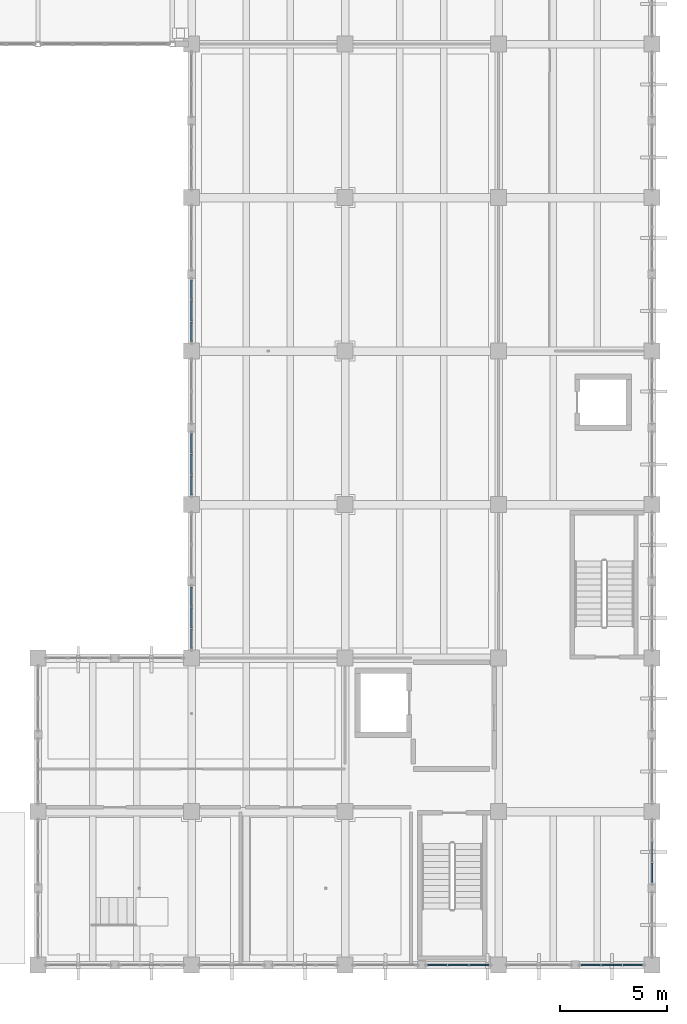
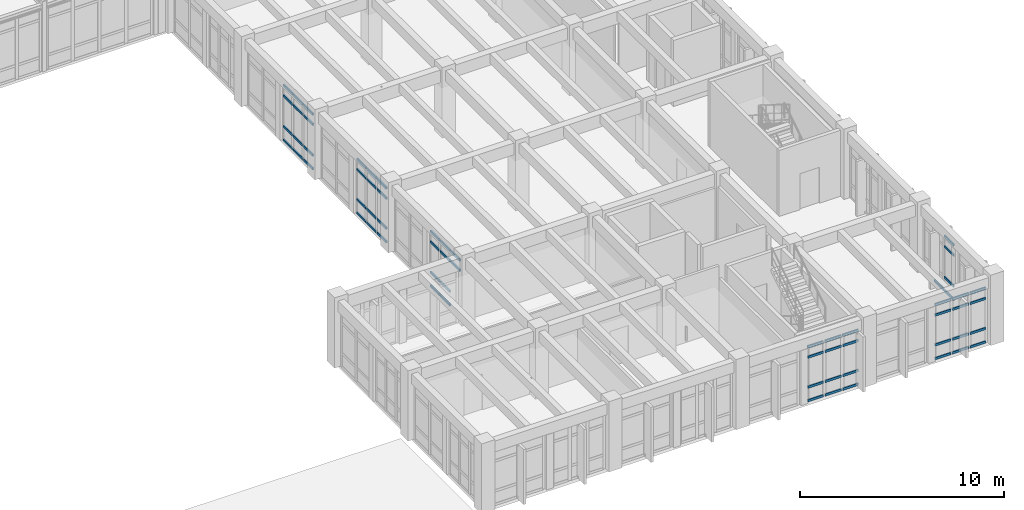
# One storey, part 71 of 136: 63 members, 6 elements without a shape of their own.
"""IFC4 building model written with IfcOpenShell, lengths in metres."""

import ifcopenshell
import ifcopenshell.guid

model = None  # the IFC model being written
_history = None  # IfcOwnerHistory: only IFC2X3 demands one
_inside = {}  # id of a spatial element -> (the spatial element, [elements in it])
_under = {}  # id of a project, library or spatial element -> (it, [spatial elements below it])
_declared = {}  # id of a project -> (the project, [libraries it declares])
_typed = {}  # id of a type object -> (the type object, [elements of that type])
_made_of = {}  # id of a material, layer set ... -> (it, [elements and type objects made of it])


def new_model(schema):
    """Start an empty IFC model of exactly this schema.

    Asked for "IFC4X3", IfcOpenShell would pick the latest addendum, in which some entities
    have other attributes; the version numbers below select the first issue.
    IFC2X3 requires an IfcOwnerHistory on every rooted entity: one is made here for all.
    """
    global model, _history
    if schema == "IFC4X3":
        model = ifcopenshell.file(schema_version=(4, 3, 0, 0))
    else:
        model = ifcopenshell.file(schema=schema)
    _inside.clear()
    _under.clear()
    _declared.clear()
    _typed.clear()
    _made_of.clear()
    _history = None
    if model.schema == "IFC2X3":
        org = make("IfcOrganization", Name="unknown")
        user = make(
            "IfcPersonAndOrganization",
            ThePerson=make("IfcPerson", FamilyName="unknown"),
            TheOrganization=org,
        )
        app = make(
            "IfcApplication",
            ApplicationDeveloper=org,
            Version="unknown",
            ApplicationFullName="unknown",
            ApplicationIdentifier="unknown",
        )
        _history = make(
            "IfcOwnerHistory",
            OwningUser=user,
            OwningApplication=app,
            ChangeAction="ADDED",
            CreationDate=0,
        )
    return model


def make(cls, **values):
    """One entity of the class cls with the attributes given. An attribute that is None is left unset."""
    return model.create_entity(
        cls, **{name: value for name, value in values.items() if value is not None}
    )


def rooted(cls, **values):
    """An entity with a GlobalId (a new one), such as an element, a storey or a relation."""
    return make(cls, GlobalId=ifcopenshell.guid.new(), OwnerHistory=_history, **values)


def si_unit(unit_type, name, prefix=None):
    """IfcSIUnit, for example si_unit("LENGTHUNIT", "METRE", prefix="MILLI")."""
    return make("IfcSIUnit", UnitType=unit_type, Prefix=prefix, Name=name)


def assignment(units):
    """IfcUnitAssignment: the units of a project."""
    return None if units is None else make("IfcUnitAssignment", Units=units)


def point(xyz):
    """IfcCartesianPoint."""
    return None if xyz is None else make("IfcCartesianPoint", Coordinates=xyz)


def direction(xyz):
    """IfcDirection."""
    return None if xyz is None else make("IfcDirection", DirectionRatios=xyz)


def frame(location, z_axis=None, x_axis=None):
    """IfcAxis2Placement3D, a coordinate frame: its origin and axes. An axis left out is left unset."""
    return make(
        "IfcAxis2Placement3D",
        Location=point(location),
        Axis=direction(z_axis),
        RefDirection=direction(x_axis),
    )


def frame_2d(location, x_axis=None):
    """IfcAxis2Placement2D, a coordinate frame in the plane: its origin and x axis."""
    return make(
        "IfcAxis2Placement2D", Location=point(location), RefDirection=direction(x_axis)
    )


def origin():
    """The frame at (0, 0, 0) with its axes left unset."""
    return frame((0.0, 0.0, 0.0))


def origin_2d():
    """The frame at (0, 0) in the plane with its x axis left unset."""
    return frame_2d((0.0, 0.0))


def place(relative_to, where):
    """IfcLocalPlacement: puts the frame where relative to a parent placement (None: the world)."""
    return make(
        "IfcLocalPlacement", PlacementRelTo=relative_to, RelativePlacement=where
    )


def context(
    kind, dimensions, precision=None, world=None, true_north=None, identifier=None
):
    """IfcGeometricRepresentationContext, for example the 3D "Model" context."""
    return make(
        "IfcGeometricRepresentationContext",
        ContextIdentifier=identifier,
        ContextType=kind,
        CoordinateSpaceDimension=dimensions,
        Precision=precision,
        WorldCoordinateSystem=world,
        TrueNorth=true_north,
    )


def subcontext(parent, identifier, kind, view, scale=None):
    """IfcGeometricRepresentationSubContext, for example "Body" below "Model"."""
    return make(
        "IfcGeometricRepresentationSubContext",
        ContextIdentifier=identifier,
        ContextType=kind,
        ParentContext=parent,
        TargetScale=scale,
        TargetView=view,
    )


def project(units=None, contexts=None):
    """IfcProject with its units and contexts."""
    return rooted(
        "IfcProject",
        Name="project",
        RepresentationContexts=contexts,
        UnitsInContext=assignment(units),
    )


def spatial(cls, under=None, at=None, **own):
    """A site, building, storey or space (cls), placed at a placement, below another one or the project."""
    s = rooted(cls, ObjectPlacement=at, **own)
    if under is not None:
        _under.setdefault(under.id(), (under, []))[1].append(s)
    return s


def profile(cls, at=None, kind="AREA", **sizes):
    """A parametric profile (cls). Its sizes go by their IFC names, for example OverallWidth=200.0."""
    return make(cls, ProfileType=kind, Position=at, **sizes)


def rectangle(**sizes):
    """IfcRectangleProfileDef."""
    return profile("IfcRectangleProfileDef", **sizes)


def extrude(swept, where, along, depth):
    """IfcExtrudedAreaSolid: the profile swept, set in the frame where, extruded along a direction by depth."""
    return make(
        "IfcExtrudedAreaSolid",
        SweptArea=swept,
        Position=where,
        ExtrudedDirection=direction(along),
        Depth=depth,
    )


def shape(context_of_items, identifier, shape_type, items):
    """IfcShapeRepresentation: the items that make up one representation, for example the "Body"."""
    return make(
        "IfcShapeRepresentation",
        ContextOfItems=context_of_items,
        RepresentationIdentifier=identifier,
        RepresentationType=shape_type,
        Items=items,
    )


def material(Name=None, Category=None):
    """IfcMaterial."""
    return make("IfcMaterial", Name=Name, Category=Category)


def layer(
    of_material, thickness, ventilated=None, Name=None, Category=None, Priority=None
):
    """IfcMaterialLayer: one layer of a wall or slab, of a material (None: an air gap)."""
    return make(
        "IfcMaterialLayer",
        Material=of_material,
        LayerThickness=thickness,
        IsVentilated=ventilated,
        Name=Name,
        Category=Category,
        Priority=Priority,
    )


def layer_set(layers, Name=None):
    """IfcMaterialLayerSet."""
    return make("IfcMaterialLayerSet", MaterialLayers=layers, LayerSetName=Name)


def material_profile(
    of_material, cross_section, Name=None, Category=None, Priority=None
):
    """IfcMaterialProfile: a cross section and its material."""
    return make(
        "IfcMaterialProfile",
        Name=Name,
        Material=of_material,
        Profile=cross_section,
        Priority=Priority,
        Category=Category,
    )


def profile_set(profiles, Name=None, composite=None):
    """IfcMaterialProfileSet."""
    return make(
        "IfcMaterialProfileSet",
        Name=Name,
        MaterialProfiles=profiles,
        CompositeProfile=composite,
    )


def made_of(thing, what):
    """Note that an element or type object is made of a material, layer set ...; save() writes the relation."""
    if what is not None:
        _made_of.setdefault(what.id(), (what, []))[1].append(thing)
    return thing


def type_object(cls, material=None, **own):
    """A type object (cls), such as IfcWallType, which elements share."""
    return made_of(rooted(cls, **own), material)


def element(
    cls,
    number,
    at=None,
    inside=None,
    cuts=None,
    type_object=None,
    material=None,
    context=None,
    identifier="Body",
    shape_type=None,
    held_by="IfcProductDefinitionShape",
    body=None,
    shapes=None,
    **own,
):
    """One element of the class cls, such as IfcWall. Its Tag is "e" and its number.

    at: its placement. inside: the storey or other place that contains it. cuts: it is an
    opening in that element (IfcRelVoidsElement). A single representation is given by context,
    identifier, shape_type and body (its items); several are given by shapes. held_by: the class
    of the entity that holds the representations. save() writes the other relations.
    """
    e = rooted(cls, Tag="e%d" % number, ObjectPlacement=at, **own)
    if body is not None:
        shapes = [shape(context, identifier, shape_type, body)]
    if shapes is not None:
        e.Representation = make(held_by, Representations=shapes)
    if inside is not None:
        _inside.setdefault(inside.id(), (inside, []))[1].append(e)
    if cuts is not None:
        rooted(
            "IfcRelVoidsElement", RelatingBuildingElement=cuts, RelatedOpeningElement=e
        )
    if type_object is not None:
        _typed.setdefault(type_object.id(), (type_object, []))[1].append(e)
    return made_of(e, material)


def aggregate(whole, parts):
    """IfcRelAggregates: a whole, such as a stair, and the parts it consists of."""
    return rooted("IfcRelAggregates", RelatingObject=whole, RelatedObjects=parts)


def save(model, path):
    """Write the relations noted so far, then the file.

    IfcRelAggregates (storeys below a building ...), IfcRelContainedInSpatialStructure (elements
    in a storey), IfcRelDefinesByType, IfcRelAssociatesMaterial and IfcRelDeclares: one each for
    every whole, place, type object, material and project.
    """
    for whole, parts in _under.values():
        aggregate(whole, parts)
    for where, things in _inside.values():
        rooted(
            "IfcRelContainedInSpatialStructure",
            RelatedElements=things,
            RelatingStructure=where,
        )
    for kind, things in _typed.values():
        rooted("IfcRelDefinesByType", RelatedObjects=things, RelatingType=kind)
    for what, things in _made_of.values():
        rooted("IfcRelAssociatesMaterial", RelatedObjects=things, RelatingMaterial=what)
    for by, libraries in _declared.values():
        rooted("IfcRelDeclares", RelatingContext=by, RelatedDefinitions=libraries)
    model.write(path)


model = new_model("IFC4")

# Units and contexts
model_context = context("Model", 3, precision=1e-05, world=origin(), true_north=direction((0.0, 1.0)))
body_context = subcontext(model_context, "Body", "Model", "MODEL_VIEW")
ifc_project = project(units=[si_unit("LENGTHUNIT", "METRE"), si_unit("AREAUNIT", "SQUARE_METRE"), si_unit("VOLUMEUNIT", "CUBIC_METRE"), si_unit("PLANEANGLEUNIT", "RADIAN"), si_unit("MASSUNIT", "GRAM", prefix="KILO")], contexts=[model_context])

# Site, building, storey
site_placement = place(None, origin())
site = spatial("IfcSite", under=ifc_project, at=site_placement, CompositionType="ELEMENT")
building_placement = place(site_placement, origin())
building = spatial("IfcBuilding", under=site, at=building_placement, Name="Koriwan Promenade Central Fire Station", CompositionType="ELEMENT")
storey_placement = place(building_placement, frame((0.0, 0.0, 5.39990234375)))
storey = spatial("IfcBuildingStorey", under=building, at=storey_placement, Name="L01", CompositionType="ELEMENT", Elevation=5.39990234375)

# Curtain wall, members
ifc_material_1 = material(Name="Aluminium EN AW-6063-T6 and low-E glazing", Category="aluminium")
ifc_layer_1 = layer(ifc_material_1, 0.159912109375, Name="Aluminium EN AW-6063-T6 and low-E glazing")
ifc_layer_set_1 = layer_set([ifc_layer_1], Name="Aluminium EN AW-6063-T6 and low-E glazing")
curtain_wall_type_1 = type_object("IfcCurtainWallType", Name="CurtainWall_61_303x329", PredefinedType="USERDEFINED", material=ifc_layer_set_1)
curtain_wall_1_placement = place(storey_placement, origin())
curtain_wall_1 = element("IfcCurtainWall", 1, at=curtain_wall_1_placement, inside=storey, type_object=curtain_wall_type_1, Name="V5 L01 unitised curtain wall 161", ObjectType="UNITISED CURTAIN WALL", PredefinedType="USERDEFINED")
ifc_material_2 = material(Name="Aluminium EN AW-6063-T6", Category="aluminium")
ifc_material_profile = material_profile(ifc_material_2, rectangle(XDim=0.074951171875, YDim=0.139892578125, at=origin_2d()), Name="ALU-TRN-75x140")
ifc_profile_set = profile_set([ifc_material_profile], Name="Aluminium EN AW-6063-T6")
member_type = type_object("IfcMemberType", Name="CWTransom_ALU-TRN-75x140", PredefinedType="USERDEFINED", material=ifc_profile_set)
member_1_placement = place(storey_placement, frame((172.35009765625, 0.0, 0.03759765625), z_axis=(-1.0, 0.0, 0.0), x_axis=(0.0, -1.0, 0.0)))
member_1 = element("IfcMember", 2, at=member_1_placement, type_object=member_type, Name="CW-61 transom 1.1", ObjectType="TRANSOM", PredefinedType="USERDEFINED", context=body_context, shape_type="SweptSolid", body=[
    extrude(rectangle(XDim=0.074951171875, YDim=0.139892578125, at=origin_2d()), origin(), (0.0, 0.0, 1.0), 0.89599609375),
])
member_2_placement = place(storey_placement, frame((172.35009765625, 0.0, 0.85009765625), z_axis=(-1.0, 0.0, 0.0), x_axis=(0.0, -1.0, 0.0)))
member_2 = element("IfcMember", 3, at=member_2_placement, type_object=member_type, Name="CW-61 transom 1.2", ObjectType="TRANSOM", PredefinedType="USERDEFINED", context=body_context, shape_type="SweptSolid", body=[
    extrude(rectangle(XDim=0.074951171875, YDim=0.139892578125, at=origin_2d()), origin(), (0.0, 0.0, 1.0), 0.89599609375),
])
member_3_placement = place(storey_placement, frame((172.35009765625, 0.0, 2.64013671875), z_axis=(-1.0, 0.0, 0.0), x_axis=(0.0, -1.0, 0.0)))
member_3 = element("IfcMember", 4, at=member_3_placement, type_object=member_type, Name="CW-61 transom 1.3", ObjectType="TRANSOM", PredefinedType="USERDEFINED", context=body_context, shape_type="SweptSolid", body=[
    extrude(rectangle(XDim=0.074951171875, YDim=0.139892578125, at=origin_2d()), origin(), (0.0, 0.0, 1.0), 0.89599609375),
])
member_4_placement = place(storey_placement, frame((172.35009765625, 0.0, 3.252685546875), z_axis=(-1.0, 0.0, 0.0), x_axis=(0.0, -1.0, 0.0)))
member_4 = element("IfcMember", 5, at=member_4_placement, type_object=member_type, Name="CW-61 transom 1.4", ObjectType="TRANSOM", PredefinedType="USERDEFINED", context=body_context, shape_type="SweptSolid", body=[
    extrude(rectangle(XDim=0.074951171875, YDim=0.139892578125, at=origin_2d()), origin(), (0.0, 0.0, 1.0), 0.89599609375),
])
member_5_placement = place(storey_placement, frame((171.379150390625, 0.0, 0.03759765625), z_axis=(-1.0, 0.0, 0.0), x_axis=(0.0, -1.0, 0.0)))
member_5 = element("IfcMember", 6, at=member_5_placement, type_object=member_type, Name="CW-61 transom 2.1", ObjectType="TRANSOM", PredefinedType="USERDEFINED", context=body_context, shape_type="SweptSolid", body=[
    extrude(rectangle(XDim=0.074951171875, YDim=0.139892578125, at=origin_2d()), origin(), (0.0, 0.0, 1.0), 0.933349609375),
])
member_6_placement = place(storey_placement, frame((171.379150390625, 0.0, 0.85009765625), z_axis=(-1.0, 0.0, 0.0), x_axis=(0.0, -1.0, 0.0)))
member_6 = element("IfcMember", 7, at=member_6_placement, type_object=member_type, Name="CW-61 transom 2.2", ObjectType="TRANSOM", PredefinedType="USERDEFINED", context=body_context, shape_type="SweptSolid", body=[
    extrude(rectangle(XDim=0.074951171875, YDim=0.139892578125, at=origin_2d()), origin(), (0.0, 0.0, 1.0), 0.933349609375),
])
member_7_placement = place(storey_placement, frame((171.379150390625, 0.0, 2.64013671875), z_axis=(-1.0, 0.0, 0.0), x_axis=(0.0, -1.0, 0.0)))
member_7 = element("IfcMember", 8, at=member_7_placement, type_object=member_type, Name="CW-61 transom 2.3", ObjectType="TRANSOM", PredefinedType="USERDEFINED", context=body_context, shape_type="SweptSolid", body=[
    extrude(rectangle(XDim=0.074951171875, YDim=0.139892578125, at=origin_2d()), origin(), (0.0, 0.0, 1.0), 0.933349609375),
])
member_8_placement = place(storey_placement, frame((171.379150390625, 0.0, 3.252685546875), z_axis=(-1.0, 0.0, 0.0), x_axis=(0.0, -1.0, 0.0)))
member_8 = element("IfcMember", 9, at=member_8_placement, type_object=member_type, Name="CW-61 transom 2.4", ObjectType="TRANSOM", PredefinedType="USERDEFINED", context=body_context, shape_type="SweptSolid", body=[
    extrude(rectangle(XDim=0.074951171875, YDim=0.139892578125, at=origin_2d()), origin(), (0.0, 0.0, 1.0), 0.933349609375),
])
member_9_placement = place(storey_placement, frame((170.370849609375, 0.0, 0.03759765625), z_axis=(-1.0, 0.0, 0.0), x_axis=(0.0, -1.0, 0.0)))
member_9 = element("IfcMember", 10, at=member_9_placement, type_object=member_type, Name="CW-61 transom 3.1", ObjectType="TRANSOM", PredefinedType="USERDEFINED", context=body_context, shape_type="SweptSolid", body=[
    extrude(rectangle(XDim=0.074951171875, YDim=0.139892578125, at=origin_2d()), origin(), (0.0, 0.0, 1.0), 0.895751953125),
])
member_10_placement = place(storey_placement, frame((170.370849609375, 0.0, 0.85009765625), z_axis=(-1.0, 0.0, 0.0), x_axis=(0.0, -1.0, 0.0)))
member_10 = element("IfcMember", 11, at=member_10_placement, type_object=member_type, Name="CW-61 transom 3.2", ObjectType="TRANSOM", PredefinedType="USERDEFINED", context=body_context, shape_type="SweptSolid", body=[
    extrude(rectangle(XDim=0.074951171875, YDim=0.139892578125, at=origin_2d()), origin(), (0.0, 0.0, 1.0), 0.895751953125),
])
member_11_placement = place(storey_placement, frame((170.370849609375, 0.0, 2.64013671875), z_axis=(-1.0, 0.0, 0.0), x_axis=(0.0, -1.0, 0.0)))
member_11 = element("IfcMember", 12, at=member_11_placement, type_object=member_type, Name="CW-61 transom 3.3", ObjectType="TRANSOM", PredefinedType="USERDEFINED", context=body_context, shape_type="SweptSolid", body=[
    extrude(rectangle(XDim=0.074951171875, YDim=0.139892578125, at=origin_2d()), origin(), (0.0, 0.0, 1.0), 0.895751953125),
])
member_12_placement = place(storey_placement, frame((170.370849609375, 0.0, 3.252685546875), z_axis=(-1.0, 0.0, 0.0), x_axis=(0.0, -1.0, 0.0)))
member_12 = element("IfcMember", 13, at=member_12_placement, type_object=member_type, Name="CW-61 transom 3.4", ObjectType="TRANSOM", PredefinedType="USERDEFINED", context=body_context, shape_type="SweptSolid", body=[
    extrude(rectangle(XDim=0.074951171875, YDim=0.139892578125, at=origin_2d()), origin(), (0.0, 0.0, 1.0), 0.895751953125),
])
aggregate(curtain_wall_1, [member_1, member_2, member_3, member_4, member_5, member_6, member_7, member_8, member_9, member_10, member_11, member_12])

curtain_wall_2_placement = place(storey_placement, origin())
curtain_wall_2 = element("IfcCurtainWall", 14, at=curtain_wall_2_placement, inside=storey, type_object=curtain_wall_type_1, Name="V5 L01 unitised curtain wall 163", ObjectType="UNITISED CURTAIN WALL", PredefinedType="USERDEFINED")
member_13_placement = place(storey_placement, frame((165.14990234375, 0.0, 0.03759765625), z_axis=(-1.0, 0.0, 0.0), x_axis=(0.0, -1.0, 0.0)))
member_13 = element("IfcMember", 15, at=member_13_placement, type_object=member_type, Name="CW-61 transom 1.1", ObjectType="TRANSOM", PredefinedType="USERDEFINED", context=body_context, shape_type="SweptSolid", body=[
    extrude(rectangle(XDim=0.074951171875, YDim=0.139892578125, at=origin_2d()), origin(), (0.0, 0.0, 1.0), 0.895751953125),
])
member_14_placement = place(storey_placement, frame((165.14990234375, 0.0, 0.85009765625), z_axis=(-1.0, 0.0, 0.0), x_axis=(0.0, -1.0, 0.0)))
member_14 = element("IfcMember", 16, at=member_14_placement, type_object=member_type, Name="CW-61 transom 1.2", ObjectType="TRANSOM", PredefinedType="USERDEFINED", context=body_context, shape_type="SweptSolid", body=[
    extrude(rectangle(XDim=0.074951171875, YDim=0.139892578125, at=origin_2d()), origin(), (0.0, 0.0, 1.0), 0.895751953125),
])
member_15_placement = place(storey_placement, frame((165.14990234375, 0.0, 2.64013671875), z_axis=(-1.0, 0.0, 0.0), x_axis=(0.0, -1.0, 0.0)))
member_15 = element("IfcMember", 17, at=member_15_placement, type_object=member_type, Name="CW-61 transom 1.3", ObjectType="TRANSOM", PredefinedType="USERDEFINED", context=body_context, shape_type="SweptSolid", body=[
    extrude(rectangle(XDim=0.074951171875, YDim=0.139892578125, at=origin_2d()), origin(), (0.0, 0.0, 1.0), 0.895751953125),
])
member_16_placement = place(storey_placement, frame((165.14990234375, 0.0, 3.252685546875), z_axis=(-1.0, 0.0, 0.0), x_axis=(0.0, -1.0, 0.0)))
member_16 = element("IfcMember", 18, at=member_16_placement, type_object=member_type, Name="CW-61 transom 1.4", ObjectType="TRANSOM", PredefinedType="USERDEFINED", context=body_context, shape_type="SweptSolid", body=[
    extrude(rectangle(XDim=0.074951171875, YDim=0.139892578125, at=origin_2d()), origin(), (0.0, 0.0, 1.0), 0.895751953125),
])
member_17_placement = place(storey_placement, frame((164.17919921875, 0.0, 0.03759765625), z_axis=(-1.0, 0.0, 0.0), x_axis=(0.0, -1.0, 0.0)))
member_17 = element("IfcMember", 19, at=member_17_placement, type_object=member_type, Name="CW-61 transom 2.1", ObjectType="TRANSOM", PredefinedType="USERDEFINED", context=body_context, shape_type="SweptSolid", body=[
    extrude(rectangle(XDim=0.074951171875, YDim=0.139892578125, at=origin_2d()), origin(), (0.0, 0.0, 1.0), 0.933349609375),
])
member_18_placement = place(storey_placement, frame((164.17919921875, 0.0, 0.85009765625), z_axis=(-1.0, 0.0, 0.0), x_axis=(0.0, -1.0, 0.0)))
member_18 = element("IfcMember", 20, at=member_18_placement, type_object=member_type, Name="CW-61 transom 2.2", ObjectType="TRANSOM", PredefinedType="USERDEFINED", context=body_context, shape_type="SweptSolid", body=[
    extrude(rectangle(XDim=0.074951171875, YDim=0.139892578125, at=origin_2d()), origin(), (0.0, 0.0, 1.0), 0.933349609375),
])
member_19_placement = place(storey_placement, frame((164.17919921875, 0.0, 2.64013671875), z_axis=(-1.0, 0.0, 0.0), x_axis=(0.0, -1.0, 0.0)))
member_19 = element("IfcMember", 21, at=member_19_placement, type_object=member_type, Name="CW-61 transom 2.3", ObjectType="TRANSOM", PredefinedType="USERDEFINED", context=body_context, shape_type="SweptSolid", body=[
    extrude(rectangle(XDim=0.074951171875, YDim=0.139892578125, at=origin_2d()), origin(), (0.0, 0.0, 1.0), 0.933349609375),
])
member_20_placement = place(storey_placement, frame((164.17919921875, 0.0, 3.252685546875), z_axis=(-1.0, 0.0, 0.0), x_axis=(0.0, -1.0, 0.0)))
member_20 = element("IfcMember", 22, at=member_20_placement, type_object=member_type, Name="CW-61 transom 2.4", ObjectType="TRANSOM", PredefinedType="USERDEFINED", context=body_context, shape_type="SweptSolid", body=[
    extrude(rectangle(XDim=0.074951171875, YDim=0.139892578125, at=origin_2d()), origin(), (0.0, 0.0, 1.0), 0.933349609375),
])
member_21_placement = place(storey_placement, frame((163.1708984375, 0.0, 0.03759765625), z_axis=(-1.0, 0.0, 0.0), x_axis=(0.0, -1.0, 0.0)))
member_21 = element("IfcMember", 23, at=member_21_placement, type_object=member_type, Name="CW-61 transom 3.1", ObjectType="TRANSOM", PredefinedType="USERDEFINED", context=body_context, shape_type="SweptSolid", body=[
    extrude(rectangle(XDim=0.074951171875, YDim=0.139892578125, at=origin_2d()), origin(), (0.0, 0.0, 1.0), 0.89599609375),
])
member_22_placement = place(storey_placement, frame((163.1708984375, 0.0, 0.85009765625), z_axis=(-1.0, 0.0, 0.0), x_axis=(0.0, -1.0, 0.0)))
member_22 = element("IfcMember", 24, at=member_22_placement, type_object=member_type, Name="CW-61 transom 3.2", ObjectType="TRANSOM", PredefinedType="USERDEFINED", context=body_context, shape_type="SweptSolid", body=[
    extrude(rectangle(XDim=0.074951171875, YDim=0.139892578125, at=origin_2d()), origin(), (0.0, 0.0, 1.0), 0.89599609375),
])
member_23_placement = place(storey_placement, frame((163.1708984375, 0.0, 2.64013671875), z_axis=(-1.0, 0.0, 0.0), x_axis=(0.0, -1.0, 0.0)))
member_23 = element("IfcMember", 25, at=member_23_placement, type_object=member_type, Name="CW-61 transom 3.3", ObjectType="TRANSOM", PredefinedType="USERDEFINED", context=body_context, shape_type="SweptSolid", body=[
    extrude(rectangle(XDim=0.074951171875, YDim=0.139892578125, at=origin_2d()), origin(), (0.0, 0.0, 1.0), 0.89599609375),
])
member_24_placement = place(storey_placement, frame((163.1708984375, 0.0, 3.252685546875), z_axis=(-1.0, 0.0, 0.0), x_axis=(0.0, -1.0, 0.0)))
member_24 = element("IfcMember", 26, at=member_24_placement, type_object=member_type, Name="CW-61 transom 3.4", ObjectType="TRANSOM", PredefinedType="USERDEFINED", context=body_context, shape_type="SweptSolid", body=[
    extrude(rectangle(XDim=0.074951171875, YDim=0.139892578125, at=origin_2d()), origin(), (0.0, 0.0, 1.0), 0.89599609375),
])
aggregate(curtain_wall_2, [member_13, member_14, member_15, member_16, member_17, member_18, member_19, member_20, member_21, member_22, member_23, member_24])

ifc_layer_2 = layer(ifc_material_1, 0.159912109375, Name="Aluminium EN AW-6063-T6 and low-E glazing")
ifc_layer_set_2 = layer_set([ifc_layer_2], Name="Aluminium EN AW-6063-T6 and low-E glazing")
curtain_wall_type_2 = type_object("IfcCurtainWallType", Name="CurtainWall_67_303x334", PredefinedType="USERDEFINED", material=ifc_layer_set_2)
curtain_wall_3_placement = place(storey_placement, origin())
curtain_wall_3 = element("IfcCurtainWall", 27, at=curtain_wall_3_placement, inside=storey, type_object=curtain_wall_type_2, Name="V5 L01 unitised curtain wall 175", ObjectType="UNITISED CURTAIN WALL", PredefinedType="USERDEFINED")
member_25_placement = place(storey_placement, frame((151.199951171875, 14.85009765625, 2.690185546875), z_axis=(0.0, 1.0, 0.0), x_axis=(-1.0, 0.0, 0.0)))
member_25 = element("IfcMember", 28, at=member_25_placement, type_object=member_type, Name="CW-67 transom 1.3", ObjectType="TRANSOM", PredefinedType="USERDEFINED", context=body_context, shape_type="SweptSolid", body=[
    extrude(rectangle(XDim=0.074951171875, YDim=0.139892578125, at=origin_2d()), origin(), (0.0, 0.0, 1.0), 0.895751953125),
])
member_26_placement = place(storey_placement, frame((151.199951171875, 14.85009765625, 3.302490234375), z_axis=(0.0, 1.0, 0.0), x_axis=(-1.0, 0.0, 0.0)))
member_26 = element("IfcMember", 29, at=member_26_placement, type_object=member_type, Name="CW-67 transom 1.4", ObjectType="TRANSOM", PredefinedType="USERDEFINED", context=body_context, shape_type="SweptSolid", body=[
    extrude(rectangle(XDim=0.074951171875, YDim=0.139892578125, at=origin_2d()), origin(), (0.0, 0.0, 1.0), 0.895751953125),
])
member_27_placement = place(storey_placement, frame((151.199951171875, 15.82080078125, 0.03759765625), z_axis=(0.0, 1.0, 0.0), x_axis=(-1.0, 0.0, 0.0)))
member_27 = element("IfcMember", 30, at=member_27_placement, type_object=member_type, Name="CW-67 transom 2.1", ObjectType="TRANSOM", PredefinedType="USERDEFINED", context=body_context, shape_type="SweptSolid", body=[
    extrude(rectangle(XDim=0.074951171875, YDim=0.139892578125, at=origin_2d()), origin(), (0.0, 0.0, 1.0), 0.933349609375),
])
member_28_placement = place(storey_placement, frame((151.199951171875, 15.82080078125, 0.85009765625), z_axis=(0.0, 1.0, 0.0), x_axis=(-1.0, 0.0, 0.0)))
member_28 = element("IfcMember", 31, at=member_28_placement, type_object=member_type, Name="CW-67 transom 2.2", ObjectType="TRANSOM", PredefinedType="USERDEFINED", context=body_context, shape_type="SweptSolid", body=[
    extrude(rectangle(XDim=0.074951171875, YDim=0.139892578125, at=origin_2d()), origin(), (0.0, 0.0, 1.0), 0.933349609375),
])
member_29_placement = place(storey_placement, frame((151.199951171875, 15.82080078125, 2.690185546875), z_axis=(0.0, 1.0, 0.0), x_axis=(-1.0, 0.0, 0.0)))
member_29 = element("IfcMember", 32, at=member_29_placement, type_object=member_type, Name="CW-67 transom 2.3", ObjectType="TRANSOM", PredefinedType="USERDEFINED", context=body_context, shape_type="SweptSolid", body=[
    extrude(rectangle(XDim=0.074951171875, YDim=0.139892578125, at=origin_2d()), origin(), (0.0, 0.0, 1.0), 0.933349609375),
])
member_30_placement = place(storey_placement, frame((151.199951171875, 15.82080078125, 3.302490234375), z_axis=(0.0, 1.0, 0.0), x_axis=(-1.0, 0.0, 0.0)))
member_30 = element("IfcMember", 33, at=member_30_placement, type_object=member_type, Name="CW-67 transom 2.4", ObjectType="TRANSOM", PredefinedType="USERDEFINED", context=body_context, shape_type="SweptSolid", body=[
    extrude(rectangle(XDim=0.074951171875, YDim=0.139892578125, at=origin_2d()), origin(), (0.0, 0.0, 1.0), 0.933349609375),
])
member_31_placement = place(storey_placement, frame((151.199951171875, 16.8291015625, 0.03759765625), z_axis=(0.0, 1.0, 0.0), x_axis=(-1.0, 0.0, 0.0)))
member_31 = element("IfcMember", 34, at=member_31_placement, type_object=member_type, Name="CW-67 transom 3.1", ObjectType="TRANSOM", PredefinedType="USERDEFINED", context=body_context, shape_type="SweptSolid", body=[
    extrude(rectangle(XDim=0.074951171875, YDim=0.139892578125, at=origin_2d()), origin(), (0.0, 0.0, 1.0), 0.89599609375),
])
member_32_placement = place(storey_placement, frame((151.199951171875, 16.8291015625, 0.85009765625), z_axis=(0.0, 1.0, 0.0), x_axis=(-1.0, 0.0, 0.0)))
member_32 = element("IfcMember", 35, at=member_32_placement, type_object=member_type, Name="CW-67 transom 3.2", ObjectType="TRANSOM", PredefinedType="USERDEFINED", context=body_context, shape_type="SweptSolid", body=[
    extrude(rectangle(XDim=0.074951171875, YDim=0.139892578125, at=origin_2d()), origin(), (0.0, 0.0, 1.0), 0.89599609375),
])
member_33_placement = place(storey_placement, frame((151.199951171875, 16.8291015625, 2.690185546875), z_axis=(0.0, 1.0, 0.0), x_axis=(-1.0, 0.0, 0.0)))
member_33 = element("IfcMember", 36, at=member_33_placement, type_object=member_type, Name="CW-67 transom 3.3", ObjectType="TRANSOM", PredefinedType="USERDEFINED", context=body_context, shape_type="SweptSolid", body=[
    extrude(rectangle(XDim=0.074951171875, YDim=0.139892578125, at=origin_2d()), origin(), (0.0, 0.0, 1.0), 0.89599609375),
])
member_34_placement = place(storey_placement, frame((151.199951171875, 16.8291015625, 3.302490234375), z_axis=(0.0, 1.0, 0.0), x_axis=(-1.0, 0.0, 0.0)))
member_34 = element("IfcMember", 37, at=member_34_placement, type_object=member_type, Name="CW-67 transom 3.4", ObjectType="TRANSOM", PredefinedType="USERDEFINED", context=body_context, shape_type="SweptSolid", body=[
    extrude(rectangle(XDim=0.074951171875, YDim=0.139892578125, at=origin_2d()), origin(), (0.0, 0.0, 1.0), 0.89599609375),
])
aggregate(curtain_wall_3, [member_25, member_26, member_27, member_28, member_29, member_30, member_31, member_32, member_33, member_34])

ifc_layer_3 = layer(ifc_material_1, 0.159912109375, Name="Aluminium EN AW-6063-T6 and low-E glazing")
ifc_layer_set_3 = layer_set([ifc_layer_3], Name="Aluminium EN AW-6063-T6 and low-E glazing")
curtain_wall_type_3 = type_object("IfcCurtainWallType", Name="CurtainWall_62_302x329", PredefinedType="USERDEFINED", material=ifc_layer_set_3)
curtain_wall_4_placement = place(storey_placement, origin())
curtain_wall_4 = element("IfcCurtainWall", 38, at=curtain_wall_4_placement, inside=storey, type_object=curtain_wall_type_3, Name="V5 L01 unitised curtain wall 177", ObjectType="UNITISED CURTAIN WALL", PredefinedType="USERDEFINED")
member_35_placement = place(storey_placement, frame((151.199951171875, 22.050048828125, 0.03759765625), z_axis=(0.0, 1.0, 0.0), x_axis=(-1.0, 0.0, 0.0)))
member_35 = element("IfcMember", 39, at=member_35_placement, type_object=member_type, Name="CW-62 transom 1.1", ObjectType="TRANSOM", PredefinedType="USERDEFINED", context=body_context, shape_type="SweptSolid", body=[
    extrude(rectangle(XDim=0.074951171875, YDim=0.139892578125, at=origin_2d()), origin(), (0.0, 0.0, 1.0), 0.895751953125),
])
member_36_placement = place(storey_placement, frame((151.199951171875, 22.050048828125, 0.85009765625), z_axis=(0.0, 1.0, 0.0), x_axis=(-1.0, 0.0, 0.0)))
member_36 = element("IfcMember", 40, at=member_36_placement, type_object=member_type, Name="CW-62 transom 1.2", ObjectType="TRANSOM", PredefinedType="USERDEFINED", context=body_context, shape_type="SweptSolid", body=[
    extrude(rectangle(XDim=0.074951171875, YDim=0.139892578125, at=origin_2d()), origin(), (0.0, 0.0, 1.0), 0.895751953125),
])
member_37_placement = place(storey_placement, frame((151.199951171875, 22.050048828125, 2.64013671875), z_axis=(0.0, 1.0, 0.0), x_axis=(-1.0, 0.0, 0.0)))
member_37 = element("IfcMember", 41, at=member_37_placement, type_object=member_type, Name="CW-62 transom 1.3", ObjectType="TRANSOM", PredefinedType="USERDEFINED", context=body_context, shape_type="SweptSolid", body=[
    extrude(rectangle(XDim=0.074951171875, YDim=0.139892578125, at=origin_2d()), origin(), (0.0, 0.0, 1.0), 0.895751953125),
])
member_38_placement = place(storey_placement, frame((151.199951171875, 22.050048828125, 3.252685546875), z_axis=(0.0, 1.0, 0.0), x_axis=(-1.0, 0.0, 0.0)))
member_38 = element("IfcMember", 42, at=member_38_placement, type_object=member_type, Name="CW-62 transom 1.4", ObjectType="TRANSOM", PredefinedType="USERDEFINED", context=body_context, shape_type="SweptSolid", body=[
    extrude(rectangle(XDim=0.074951171875, YDim=0.139892578125, at=origin_2d()), origin(), (0.0, 0.0, 1.0), 0.895751953125),
])
member_39_placement = place(storey_placement, frame((151.199951171875, 23.020751953125, 0.03759765625), z_axis=(0.0, 1.0, 0.0), x_axis=(-1.0, 0.0, 0.0)))
member_39 = element("IfcMember", 43, at=member_39_placement, type_object=member_type, Name="CW-62 transom 2.1", ObjectType="TRANSOM", PredefinedType="USERDEFINED", context=body_context, shape_type="SweptSolid", body=[
    extrude(rectangle(XDim=0.074951171875, YDim=0.139892578125, at=origin_2d()), origin(), (0.0, 0.0, 1.0), 0.933349609375),
])
member_40_placement = place(storey_placement, frame((151.199951171875, 23.020751953125, 0.85009765625), z_axis=(0.0, 1.0, 0.0), x_axis=(-1.0, 0.0, 0.0)))
member_40 = element("IfcMember", 44, at=member_40_placement, type_object=member_type, Name="CW-62 transom 2.2", ObjectType="TRANSOM", PredefinedType="USERDEFINED", context=body_context, shape_type="SweptSolid", body=[
    extrude(rectangle(XDim=0.074951171875, YDim=0.139892578125, at=origin_2d()), origin(), (0.0, 0.0, 1.0), 0.933349609375),
])
member_41_placement = place(storey_placement, frame((151.199951171875, 23.020751953125, 2.64013671875), z_axis=(0.0, 1.0, 0.0), x_axis=(-1.0, 0.0, 0.0)))
member_41 = element("IfcMember", 45, at=member_41_placement, type_object=member_type, Name="CW-62 transom 2.3", ObjectType="TRANSOM", PredefinedType="USERDEFINED", context=body_context, shape_type="SweptSolid", body=[
    extrude(rectangle(XDim=0.074951171875, YDim=0.139892578125, at=origin_2d()), origin(), (0.0, 0.0, 1.0), 0.933349609375),
])
member_42_placement = place(storey_placement, frame((151.199951171875, 23.020751953125, 3.252685546875), z_axis=(0.0, 1.0, 0.0), x_axis=(-1.0, 0.0, 0.0)))
member_42 = element("IfcMember", 46, at=member_42_placement, type_object=member_type, Name="CW-62 transom 2.4", ObjectType="TRANSOM", PredefinedType="USERDEFINED", context=body_context, shape_type="SweptSolid", body=[
    extrude(rectangle(XDim=0.074951171875, YDim=0.139892578125, at=origin_2d()), origin(), (0.0, 0.0, 1.0), 0.933349609375),
])
member_43_placement = place(storey_placement, frame((151.199951171875, 24.029052734375, 0.03759765625), z_axis=(0.0, 1.0, 0.0), x_axis=(-1.0, 0.0, 0.0)))
member_43 = element("IfcMember", 47, at=member_43_placement, type_object=member_type, Name="CW-62 transom 3.1", ObjectType="TRANSOM", PredefinedType="USERDEFINED", context=body_context, shape_type="SweptSolid", body=[
    extrude(rectangle(XDim=0.074951171875, YDim=0.139892578125, at=origin_2d()), origin(), (0.0, 0.0, 1.0), 0.89599609375),
])
member_44_placement = place(storey_placement, frame((151.199951171875, 24.029052734375, 0.85009765625), z_axis=(0.0, 1.0, 0.0), x_axis=(-1.0, 0.0, 0.0)))
member_44 = element("IfcMember", 48, at=member_44_placement, type_object=member_type, Name="CW-62 transom 3.2", ObjectType="TRANSOM", PredefinedType="USERDEFINED", context=body_context, shape_type="SweptSolid", body=[
    extrude(rectangle(XDim=0.074951171875, YDim=0.139892578125, at=origin_2d()), origin(), (0.0, 0.0, 1.0), 0.89599609375),
])
member_45_placement = place(storey_placement, frame((151.199951171875, 24.029052734375, 2.64013671875), z_axis=(0.0, 1.0, 0.0), x_axis=(-1.0, 0.0, 0.0)))
member_45 = element("IfcMember", 49, at=member_45_placement, type_object=member_type, Name="CW-62 transom 3.3", ObjectType="TRANSOM", PredefinedType="USERDEFINED", context=body_context, shape_type="SweptSolid", body=[
    extrude(rectangle(XDim=0.074951171875, YDim=0.139892578125, at=origin_2d()), origin(), (0.0, 0.0, 1.0), 0.89599609375),
])
member_46_placement = place(storey_placement, frame((151.199951171875, 24.029052734375, 3.252685546875), z_axis=(0.0, 1.0, 0.0), x_axis=(-1.0, 0.0, 0.0)))
member_46 = element("IfcMember", 50, at=member_46_placement, type_object=member_type, Name="CW-62 transom 3.4", ObjectType="TRANSOM", PredefinedType="USERDEFINED", context=body_context, shape_type="SweptSolid", body=[
    extrude(rectangle(XDim=0.074951171875, YDim=0.139892578125, at=origin_2d()), origin(), (0.0, 0.0, 1.0), 0.89599609375),
])
aggregate(curtain_wall_4, [member_35, member_36, member_37, member_38, member_39, member_40, member_41, member_42, member_43, member_44, member_45, member_46])

curtain_wall_5_placement = place(storey_placement, origin())
curtain_wall_5 = element("IfcCurtainWall", 51, at=curtain_wall_5_placement, inside=storey, type_object=curtain_wall_type_2, Name="V5 L01 unitised curtain wall 179", ObjectType="UNITISED CURTAIN WALL", PredefinedType="USERDEFINED")
member_47_placement = place(storey_placement, frame((151.199951171875, 29.25, 0.03759765625), z_axis=(0.0, 1.0, 0.0), x_axis=(-1.0, 0.0, 0.0)))
member_47 = element("IfcMember", 52, at=member_47_placement, type_object=member_type, Name="CW-67 transom 1.1", ObjectType="TRANSOM", PredefinedType="USERDEFINED", context=body_context, shape_type="SweptSolid", body=[
    extrude(rectangle(XDim=0.074951171875, YDim=0.139892578125, at=origin_2d()), origin(), (0.0, 0.0, 1.0), 0.895751953125),
])
member_48_placement = place(storey_placement, frame((151.199951171875, 29.25, 0.85009765625), z_axis=(0.0, 1.0, 0.0), x_axis=(-1.0, 0.0, 0.0)))
member_48 = element("IfcMember", 53, at=member_48_placement, type_object=member_type, Name="CW-67 transom 1.2", ObjectType="TRANSOM", PredefinedType="USERDEFINED", context=body_context, shape_type="SweptSolid", body=[
    extrude(rectangle(XDim=0.074951171875, YDim=0.139892578125, at=origin_2d()), origin(), (0.0, 0.0, 1.0), 0.895751953125),
])
member_49_placement = place(storey_placement, frame((151.199951171875, 29.25, 2.690185546875), z_axis=(0.0, 1.0, 0.0), x_axis=(-1.0, 0.0, 0.0)))
member_49 = element("IfcMember", 54, at=member_49_placement, type_object=member_type, Name="CW-67 transom 1.3", ObjectType="TRANSOM", PredefinedType="USERDEFINED", context=body_context, shape_type="SweptSolid", body=[
    extrude(rectangle(XDim=0.074951171875, YDim=0.139892578125, at=origin_2d()), origin(), (0.0, 0.0, 1.0), 0.895751953125),
])
member_50_placement = place(storey_placement, frame((151.199951171875, 29.25, 3.302490234375), z_axis=(0.0, 1.0, 0.0), x_axis=(-1.0, 0.0, 0.0)))
member_50 = element("IfcMember", 55, at=member_50_placement, type_object=member_type, Name="CW-67 transom 1.4", ObjectType="TRANSOM", PredefinedType="USERDEFINED", context=body_context, shape_type="SweptSolid", body=[
    extrude(rectangle(XDim=0.074951171875, YDim=0.139892578125, at=origin_2d()), origin(), (0.0, 0.0, 1.0), 0.895751953125),
])
member_51_placement = place(storey_placement, frame((151.199951171875, 30.220947265625, 0.03759765625), z_axis=(0.0, 1.0, 0.0), x_axis=(-1.0, 0.0, 0.0)))
member_51 = element("IfcMember", 56, at=member_51_placement, type_object=member_type, Name="CW-67 transom 2.1", ObjectType="TRANSOM", PredefinedType="USERDEFINED", context=body_context, shape_type="SweptSolid", body=[
    extrude(rectangle(XDim=0.074951171875, YDim=0.139892578125, at=origin_2d()), origin(), (0.0, 0.0, 1.0), 0.93310546875),
])
member_52_placement = place(storey_placement, frame((151.199951171875, 30.220947265625, 0.85009765625), z_axis=(0.0, 1.0, 0.0), x_axis=(-1.0, 0.0, 0.0)))
member_52 = element("IfcMember", 57, at=member_52_placement, type_object=member_type, Name="CW-67 transom 2.2", ObjectType="TRANSOM", PredefinedType="USERDEFINED", context=body_context, shape_type="SweptSolid", body=[
    extrude(rectangle(XDim=0.074951171875, YDim=0.139892578125, at=origin_2d()), origin(), (0.0, 0.0, 1.0), 0.93310546875),
])
member_53_placement = place(storey_placement, frame((151.199951171875, 30.220947265625, 2.690185546875), z_axis=(0.0, 1.0, 0.0), x_axis=(-1.0, 0.0, 0.0)))
member_53 = element("IfcMember", 58, at=member_53_placement, type_object=member_type, Name="CW-67 transom 2.3", ObjectType="TRANSOM", PredefinedType="USERDEFINED", context=body_context, shape_type="SweptSolid", body=[
    extrude(rectangle(XDim=0.074951171875, YDim=0.139892578125, at=origin_2d()), origin(), (0.0, 0.0, 1.0), 0.93310546875),
])
member_54_placement = place(storey_placement, frame((151.199951171875, 30.220947265625, 3.302490234375), z_axis=(0.0, 1.0, 0.0), x_axis=(-1.0, 0.0, 0.0)))
member_54 = element("IfcMember", 59, at=member_54_placement, type_object=member_type, Name="CW-67 transom 2.4", ObjectType="TRANSOM", PredefinedType="USERDEFINED", context=body_context, shape_type="SweptSolid", body=[
    extrude(rectangle(XDim=0.074951171875, YDim=0.139892578125, at=origin_2d()), origin(), (0.0, 0.0, 1.0), 0.93310546875),
])
member_55_placement = place(storey_placement, frame((151.199951171875, 31.229248046875, 0.03759765625), z_axis=(0.0, 1.0, 0.0), x_axis=(-1.0, 0.0, 0.0)))
member_55 = element("IfcMember", 60, at=member_55_placement, type_object=member_type, Name="CW-67 transom 3.1", ObjectType="TRANSOM", PredefinedType="USERDEFINED", context=body_context, shape_type="SweptSolid", body=[
    extrude(rectangle(XDim=0.074951171875, YDim=0.139892578125, at=origin_2d()), origin(), (0.0, 0.0, 1.0), 0.895751953125),
])
member_56_placement = place(storey_placement, frame((151.199951171875, 31.229248046875, 0.85009765625), z_axis=(0.0, 1.0, 0.0), x_axis=(-1.0, 0.0, 0.0)))
member_56 = element("IfcMember", 61, at=member_56_placement, type_object=member_type, Name="CW-67 transom 3.2", ObjectType="TRANSOM", PredefinedType="USERDEFINED", context=body_context, shape_type="SweptSolid", body=[
    extrude(rectangle(XDim=0.074951171875, YDim=0.139892578125, at=origin_2d()), origin(), (0.0, 0.0, 1.0), 0.895751953125),
])
member_57_placement = place(storey_placement, frame((151.199951171875, 31.229248046875, 2.690185546875), z_axis=(0.0, 1.0, 0.0), x_axis=(-1.0, 0.0, 0.0)))
member_57 = element("IfcMember", 62, at=member_57_placement, type_object=member_type, Name="CW-67 transom 3.3", ObjectType="TRANSOM", PredefinedType="USERDEFINED", context=body_context, shape_type="SweptSolid", body=[
    extrude(rectangle(XDim=0.074951171875, YDim=0.139892578125, at=origin_2d()), origin(), (0.0, 0.0, 1.0), 0.895751953125),
])
member_58_placement = place(storey_placement, frame((151.199951171875, 31.229248046875, 3.302490234375), z_axis=(0.0, 1.0, 0.0), x_axis=(-1.0, 0.0, 0.0)))
member_58 = element("IfcMember", 63, at=member_58_placement, type_object=member_type, Name="CW-67 transom 3.4", ObjectType="TRANSOM", PredefinedType="USERDEFINED", context=body_context, shape_type="SweptSolid", body=[
    extrude(rectangle(XDim=0.074951171875, YDim=0.139892578125, at=origin_2d()), origin(), (0.0, 0.0, 1.0), 0.895751953125),
])
aggregate(curtain_wall_5, [member_47, member_48, member_49, member_50, member_51, member_52, member_53, member_54, member_55, member_56, member_57, member_58])

curtain_wall_6_placement = place(storey_placement, origin())
curtain_wall_6 = element("IfcCurtainWall", 64, at=curtain_wall_6_placement, inside=storey, type_object=curtain_wall_type_2, Name="V5 L01 unitised curtain wall 207", ObjectType="UNITISED CURTAIN WALL", PredefinedType="USERDEFINED")
member_59_placement = place(storey_placement, frame((172.800048828125, 5.779052734375, 0.03759765625), z_axis=(0.0, -1.0, 0.0), x_axis=(1.0, 0.0, 0.0)))
member_59 = element("IfcMember", 65, at=member_59_placement, type_object=member_type, Name="CW-67 transom 2.1", ObjectType="TRANSOM", PredefinedType="USERDEFINED", context=body_context, shape_type="SweptSolid", body=[
    extrude(rectangle(XDim=0.074951171875, YDim=0.139892578125, at=origin_2d()), origin(), (0.0, 0.0, 1.0), 0.93310546875),
])
member_60_placement = place(storey_placement, frame((172.800048828125, 4.770751953125, 0.03759765625), z_axis=(0.0, -1.0, 0.0), x_axis=(1.0, 0.0, 0.0)))
member_60 = element("IfcMember", 66, at=member_60_placement, type_object=member_type, Name="CW-67 transom 3.1", ObjectType="TRANSOM", PredefinedType="USERDEFINED", context=body_context, shape_type="SweptSolid", body=[
    extrude(rectangle(XDim=0.074951171875, YDim=0.139892578125, at=origin_2d()), origin(), (0.0, 0.0, 1.0), 0.895751953125),
])
member_61_placement = place(storey_placement, frame((172.800048828125, 4.770751953125, 0.85009765625), z_axis=(0.0, -1.0, 0.0), x_axis=(1.0, 0.0, 0.0)))
member_61 = element("IfcMember", 67, at=member_61_placement, type_object=member_type, Name="CW-67 transom 3.2", ObjectType="TRANSOM", PredefinedType="USERDEFINED", context=body_context, shape_type="SweptSolid", body=[
    extrude(rectangle(XDim=0.074951171875, YDim=0.139892578125, at=origin_2d()), origin(), (0.0, 0.0, 1.0), 0.895751953125),
])
member_62_placement = place(storey_placement, frame((172.800048828125, 4.770751953125, 2.690185546875), z_axis=(0.0, -1.0, 0.0), x_axis=(1.0, 0.0, 0.0)))
member_62 = element("IfcMember", 68, at=member_62_placement, type_object=member_type, Name="CW-67 transom 3.3", ObjectType="TRANSOM", PredefinedType="USERDEFINED", context=body_context, shape_type="SweptSolid", body=[
    extrude(rectangle(XDim=0.074951171875, YDim=0.139892578125, at=origin_2d()), origin(), (0.0, 0.0, 1.0), 0.895751953125),
])
member_63_placement = place(storey_placement, frame((172.800048828125, 4.770751953125, 3.302490234375), z_axis=(0.0, -1.0, 0.0), x_axis=(1.0, 0.0, 0.0)))
member_63 = element("IfcMember", 69, at=member_63_placement, type_object=member_type, Name="CW-67 transom 3.4", ObjectType="TRANSOM", PredefinedType="USERDEFINED", context=body_context, shape_type="SweptSolid", body=[
    extrude(rectangle(XDim=0.074951171875, YDim=0.139892578125, at=origin_2d()), origin(), (0.0, 0.0, 1.0), 0.895751953125),
])
aggregate(curtain_wall_6, [member_59, member_60, member_61, member_62, member_63])

save(model, "model.ifc")
